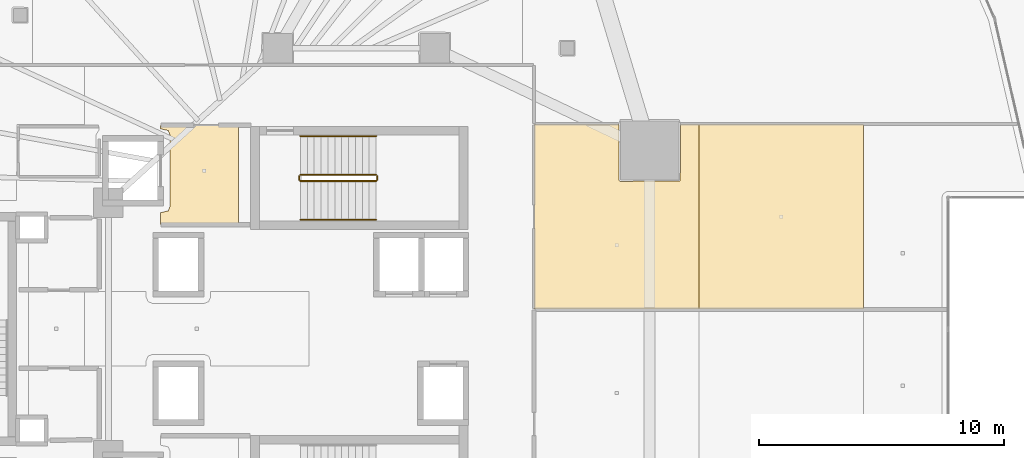
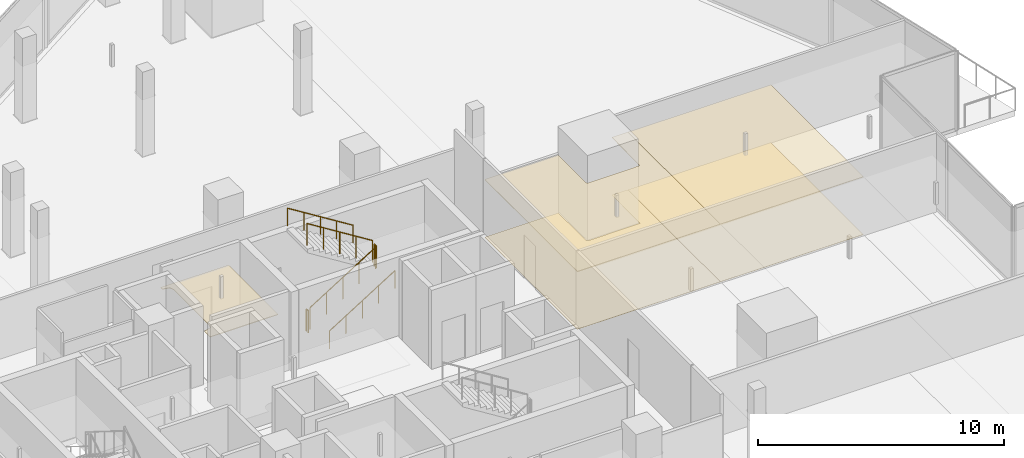
# One storey, part 43 of 44: 6 railings, 5 coverings.
"""IFC4 building model written with IfcOpenShell, lengths in metres."""

from ifc_helpers import new_model, si_unit, direction, frame, origin, origin_2d, place, context, subcontext, project, spatial, polyline, circle, outline, extrude, material, layer, layer_set, type_object, element, save


model = new_model("IFC4")

# Units and contexts
model_context = context("Model", 3, precision=1e-05, world=origin(), true_north=direction((0.0, 1.0)))
body_context = subcontext(model_context, "Body", "Model", "MODEL_VIEW")
ifc_project = project(units=[si_unit("LENGTHUNIT", "METRE"), si_unit("AREAUNIT", "SQUARE_METRE"), si_unit("VOLUMEUNIT", "CUBIC_METRE"), si_unit("PLANEANGLEUNIT", "RADIAN"), si_unit("MASSUNIT", "GRAM", prefix="KILO")], contexts=[model_context])

# Site, building, storey
site_placement = place(None, origin())
site = spatial("IfcSite", under=ifc_project, at=site_placement, CompositionType="ELEMENT")
building_placement = place(site_placement, origin())
building = spatial("IfcBuilding", under=site, at=building_placement, Name="Qorvath Tower", CompositionType="ELEMENT")
storey_placement = place(building_placement, frame((0.0, 0.0, 40.800048828125)))
storey = spatial("IfcBuildingStorey", under=building, at=storey_placement, Name="L08", CompositionType="ELEMENT", Elevation=40.800048828125)

# Coverings
ifc_material_1 = material(Name="Acoustic mineral fibre ceiling tile", Category="gypsum")
ifc_layer_1 = layer(ifc_material_1, 0.030029296875)
ifc_layer_set_1 = layer_set([ifc_layer_1], Name="COV-CEIL")
covering_type_1 = type_object("IfcCoveringType", Name="COV-CEIL", PredefinedType="CEILING", material=ifc_layer_set_1)
covering_1_placement = place(storey_placement, frame((0.0, 0.0, 2.849853515625)))
element("IfcCovering", 1, at=covering_1_placement, inside=storey, type_object=covering_type_1, Name="L08 Suspended Acoustic Ceiling 001", PredefinedType="CEILING", context=body_context, shape_type="SweptSolid", body=[
    extrude(outline(polyline([(-25.18994140625, 4.2548828125), (-25.18994140625, 8.294921875), (-28.375, 8.294921875), (-28.375, 8.159912109375), (-28.063232421875, 8.086669921875), (-27.989990234375, 7.909912109375), (-27.989990234375, 4.989990234375), (-28.063232421875, 4.813232421875), (-28.375, 4.739990234375), (-28.375, 4.2548828125), (-25.18994140625, 4.2548828125)])), origin(), (0.0, 0.0, 1.0), 0.030029296875),
])
covering_2_placement = place(storey_placement, frame((0.0, 0.0, 2.849853515625)))
element("IfcCovering", 2, at=covering_2_placement, inside=storey, type_object=covering_type_1, Name="L08 Suspended Acoustic Ceiling 025", PredefinedType="CEILING", context=body_context, shape_type="SweptSolid", body=[
    extrude(outline(polyline([(-6.4267578125, 0.80419921875), (-6.4267578125, 8.3369140625), (-7.17041015625, 8.3369140625), (-7.18798828125, 6.033935546875), (-9.63037109375, 6.016357421875), (-9.690185546875, 6.076416015625), (-9.690185546875, 8.3369140625), (-13.136962890625, 8.3369140625), (-13.136962890625, 0.80419921875), (-6.4267578125, 0.80419921875)])), origin(), (0.0, 0.0, 1.0), 0.030029296875),
])
covering_3_placement = place(storey_placement, frame((0.0, 0.0, 2.849853515625)))
element("IfcCovering", 3, at=covering_3_placement, inside=storey, type_object=covering_type_1, Name="L08 Suspended Acoustic Ceiling 026", PredefinedType="CEILING", context=body_context, shape_type="SweptSolid", body=[
    extrude(outline(polyline([(0.283447265625, 0.80419921875), (0.283447265625, 8.3369140625), (-6.4267578125, 8.3369140625), (-6.4267578125, 0.80419921875), (0.283447265625, 0.80419921875)])), origin(), (0.0, 0.0, 1.0), 0.030029296875),
])
ifc_material_2 = material(Name="Low-VOC modular carpet tile", Category="textile")
ifc_layer_2 = layer(ifc_material_2, 0.014892578125)
ifc_layer_set_2 = layer_set([ifc_layer_2], Name="COV-FLOOR-CPT")
covering_type_2 = type_object("IfcCoveringType", Name="COV-FLOOR-CPT", PredefinedType="FLOORING", material=ifc_layer_set_2)
covering_4_placement = place(storey_placement, origin())
element("IfcCovering", 4, at=covering_4_placement, inside=storey, type_object=covering_type_2, Name="L08 Floor Finish 025", PredefinedType="FLOORING", context=body_context, shape_type="SweptSolid", body=[
    extrude(outline(polyline([(-6.4267578125, 0.80419921875), (-6.4267578125, 8.3369140625), (-7.17041015625, 8.3369140625), (-7.18798828125, 6.033935546875), (-9.63037109375, 6.016357421875), (-9.690185546875, 6.076416015625), (-9.690185546875, 8.3369140625), (-13.136962890625, 8.3369140625), (-13.136962890625, 0.80419921875), (-6.4267578125, 0.80419921875)])), origin(), (0.0, 0.0, 1.0), 0.014892578125),
])
covering_5_placement = place(storey_placement, origin())
element("IfcCovering", 5, at=covering_5_placement, inside=storey, type_object=covering_type_2, Name="L08 Floor Finish 026", PredefinedType="FLOORING", context=body_context, shape_type="SweptSolid", body=[
    extrude(outline(polyline([(0.283447265625, 0.80419921875), (0.283447265625, 8.3369140625), (-6.4267578125, 8.3369140625), (-6.4267578125, 0.80419921875), (0.283447265625, 0.80419921875)])), origin(), (0.0, 0.0, 1.0), 0.014892578125),
])

# Railings
ifc_material_3 = material(Name="Painted galvanised steel", Category="steel")
railing_type_1 = type_object("IfcRailingType", Name="RL-STR-GRD", PredefinedType="GUARDRAIL", material=ifc_material_3)
railing_1_placement = place(storey_placement, frame((-22.669921875, 6.030029296875, 0.175048828125)))
element("IfcRailing", 6, at=railing_1_placement, inside=storey, type_object=railing_type_1, Name="L08 TS1 stair guard 1", PredefinedType="GUARDRAIL", context=body_context, shape_type="SweptSolid", body=[
    extrude(circle(Radius=0.02392578125, at=origin_2d()), frame((0.0, 0.0, 1.076171875), z_axis=(0.848009633417, 0.0, 0.529980812513), x_axis=(0.0, 1.0, 0.0)), (0.0, 0.0, 1.0), 3.6318359375),
    extrude(circle(Radius=0.02099609375, at=origin_2d()), origin(), (0.0, 0.0, 1.0), 1.052001953125),
    extrude(circle(Radius=0.02099609375, at=origin_2d()), frame((0.77001953125, 0.0, 0.481201171875)), (0.0, 0.0, 1.0), 1.052001953125),
    extrude(circle(Radius=0.02099609375, at=origin_2d()), frame((1.5400390625, 0.0, 0.96240234375)), (0.0, 0.0, 1.0), 1.052001953125),
    extrude(circle(Radius=0.02099609375, at=origin_2d()), frame((2.309814453125, 0.0, 1.443603515625)), (0.0, 0.0, 1.0), 1.052001953125),
    extrude(circle(Radius=0.02099609375, at=origin_2d()), frame((3.079833984375, 0.0, 1.9248046875)), (0.0, 0.0, 1.0), 1.052001953125),
])
railing_2_placement = place(storey_placement, frame((-19.5400390625, 6.080078125, 2.099853515625)))
element("IfcRailing", 7, at=railing_2_placement, inside=storey, type_object=railing_type_1, Name="L08 TS1 stair guard 2", PredefinedType="GUARDRAIL", context=body_context, shape_type="SweptSolid", body=[
    extrude(circle(Radius=0.02392578125, at=origin_2d()), frame((0.0, 0.0, 1.076171875), z_axis=(0.0, 1.0, 0.0), x_axis=(-1.0, 0.0, 0.0)), (0.0, 0.0, 1.0), 0.14990234375),
    extrude(circle(Radius=0.02099609375, at=origin_2d()), origin(), (0.0, 0.0, 1.0), 1.052001953125),
    extrude(circle(Radius=0.02099609375, at=origin_2d()), frame((0.0, 0.14990234375, 0.0)), (0.0, 0.0, 1.0), 1.052001953125),
])
railing_3_placement = place(storey_placement, frame((-19.590087890625, 6.280029296875, 2.27490234375)))
element("IfcRailing", 8, at=railing_3_placement, inside=storey, type_object=railing_type_1, Name="L08 TS1 stair guard 3", PredefinedType="GUARDRAIL", context=body_context, shape_type="SweptSolid", body=[
    extrude(circle(Radius=0.02392578125, at=origin_2d()), frame((0.0, 0.0, 1.076171875), z_axis=(-0.847979421464, 0.0, 0.530029150871), x_axis=(0.0, -1.0, 0.0)), (0.0, 0.0, 1.0), 3.632080078125),
    extrude(circle(Radius=0.02099609375, at=origin_2d()), origin(), (0.0, 0.0, 1.0), 1.052001953125),
    extrude(circle(Radius=0.02099609375, at=origin_2d()), frame((-0.77001953125, 0.0, 0.481201171875)), (0.0, 0.0, 1.0), 1.052001953125),
    extrude(circle(Radius=0.02099609375, at=origin_2d()), frame((-1.5400390625, 0.0, 0.96240234375)), (0.0, 0.0, 1.0), 1.052001953125),
    extrude(circle(Radius=0.02099609375, at=origin_2d()), frame((-2.309814453125, 0.0, 1.44384765625)), (0.0, 0.0, 1.0), 1.052001953125),
    extrude(circle(Radius=0.02099609375, at=origin_2d()), frame((-3.079833984375, 0.0, 1.925048828125)), (0.0, 0.0, 1.0), 1.052001953125),
])
railing_4_placement = place(storey_placement, frame((-22.719970703125, 6.080078125, 0.0)))
element("IfcRailing", 9, at=railing_4_placement, inside=storey, type_object=railing_type_1, Name="L08 TS1 stair guard 4", PredefinedType="GUARDRAIL", context=body_context, shape_type="SweptSolid", body=[
    extrude(circle(Radius=0.02392578125, at=origin_2d()), frame((0.0, 0.0, 1.076171875), z_axis=(0.0, 1.0, 0.0), x_axis=(-1.0, 0.0, 0.0)), (0.0, 0.0, 1.0), 0.14990234375),
    extrude(circle(Radius=0.02099609375, at=origin_2d()), origin(), (0.0, 0.0, 1.0), 1.052001953125),
    extrude(circle(Radius=0.02099609375, at=origin_2d()), frame((0.0, 0.14990234375, 0.0)), (0.0, 0.0, 1.0), 1.052001953125),
])
ifc_material_4 = material(Name="Brushed stainless steel AISI 304", Category="steel")
railing_type_2 = type_object("IfcRailingType", Name="RL-STR-HND", PredefinedType="HANDRAIL", material=ifc_material_4)
railing_5_placement = place(storey_placement, frame((-22.669921875, 4.449951171875, 0.175048828125)))
element("IfcRailing", 10, at=railing_5_placement, inside=storey, type_object=railing_type_2, Name="L08 TS1 stair handrail 1", PredefinedType="HANDRAIL", context=body_context, shape_type="SweptSolid", body=[
    extrude(circle(Radius=0.02392578125, at=origin_2d()), frame((0.0, 0.0, 0.8759765625), z_axis=(0.848009633417, 0.0, 0.529980812513), x_axis=(0.0, 1.0, 0.0)), (0.0, 0.0, 1.0), 3.6318359375),
    extrude(circle(Radius=0.02099609375, at=origin_2d()), origin(), (0.0, 0.0, 1.0), 0.851806640625),
    extrude(circle(Radius=0.02099609375, at=origin_2d()), frame((0.77001953125, 0.0, 0.481201171875)), (0.0, 0.0, 1.0), 0.851806640625),
    extrude(circle(Radius=0.02099609375, at=origin_2d()), frame((1.5400390625, 0.0, 0.96240234375)), (0.0, 0.0, 1.0), 0.851806640625),
    extrude(circle(Radius=0.02099609375, at=origin_2d()), frame((2.309814453125, 0.0, 1.443603515625)), (0.0, 0.0, 1.0), 0.851806640625),
    extrude(circle(Radius=0.02099609375, at=origin_2d()), frame((3.079833984375, 0.0, 1.9248046875)), (0.0, 0.0, 1.0), 0.851806640625),
])
railing_6_placement = place(storey_placement, frame((-19.590087890625, 7.860107421875, 2.27490234375)))
element("IfcRailing", 11, at=railing_6_placement, inside=storey, type_object=railing_type_2, Name="L08 TS1 stair handrail 2", PredefinedType="HANDRAIL", context=body_context, shape_type="SweptSolid", body=[
    extrude(circle(Radius=0.02392578125, at=origin_2d()), frame((0.0, 0.0, 0.8759765625), z_axis=(-0.847979421464, 0.0, 0.530029150871), x_axis=(0.0, -1.0, 0.0)), (0.0, 0.0, 1.0), 3.632080078125),
    extrude(circle(Radius=0.02099609375, at=origin_2d()), origin(), (0.0, 0.0, 1.0), 0.851806640625),
    extrude(circle(Radius=0.02099609375, at=origin_2d()), frame((-0.77001953125, 0.0, 0.481201171875)), (0.0, 0.0, 1.0), 0.851806640625),
    extrude(circle(Radius=0.02099609375, at=origin_2d()), frame((-1.5400390625, 0.0, 0.96240234375)), (0.0, 0.0, 1.0), 0.851806640625),
    extrude(circle(Radius=0.02099609375, at=origin_2d()), frame((-2.309814453125, 0.0, 1.44384765625)), (0.0, 0.0, 1.0), 0.851806640625),
    extrude(circle(Radius=0.02099609375, at=origin_2d()), frame((-3.079833984375, 0.0, 1.925048828125)), (0.0, 0.0, 1.0), 0.851806640625),
])

save(model, "model.ifc")
